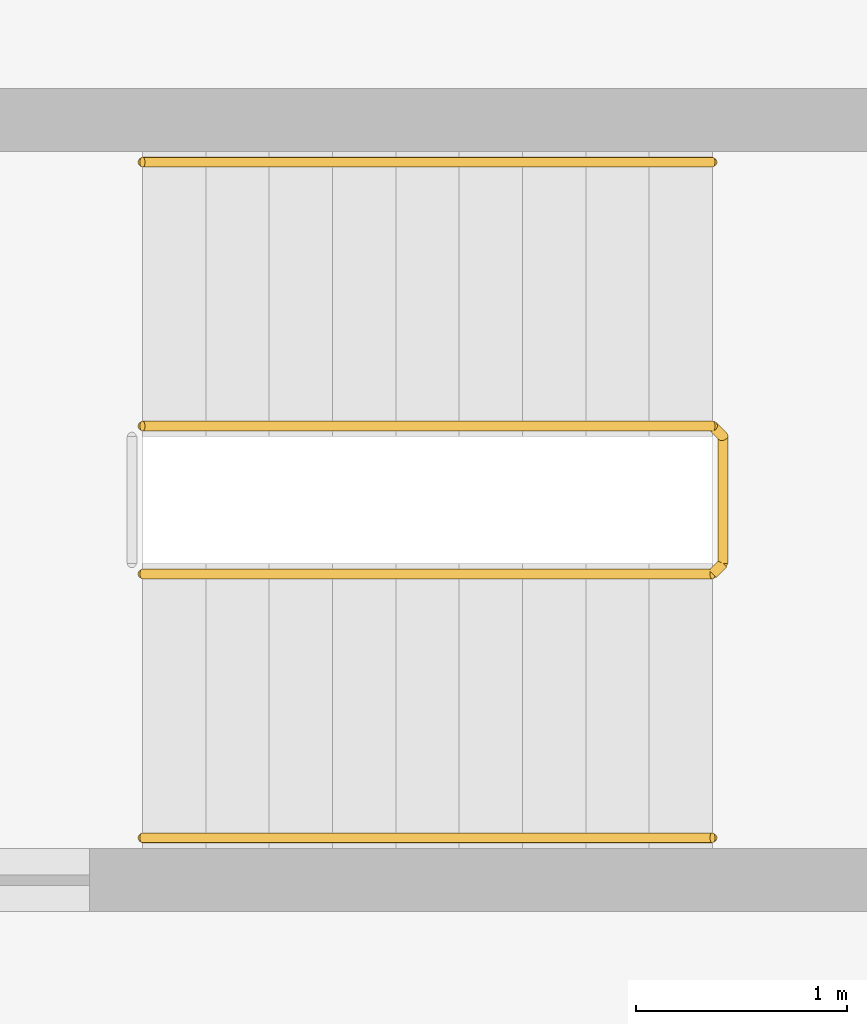
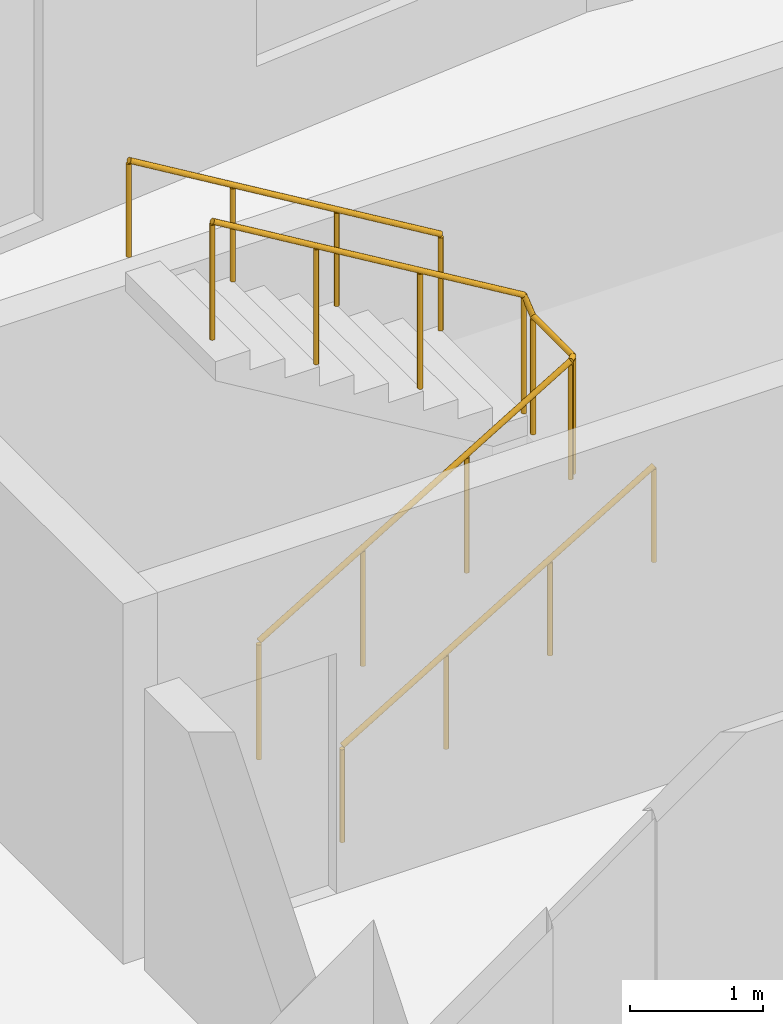
# One storey, part 12 of 12: 3 railings.
"""IFC4 building model written with IfcOpenShell, lengths in metres."""

from ifc_helpers import new_model, si_unit, direction, frame, origin, origin_2d, place, context, subcontext, project, spatial, circle, extrude, material, type_object, element, save


model = new_model("IFC4")

# Units and contexts
model_context = context("Model", 3, precision=1e-05, world=origin(), true_north=direction((0.0, 1.0)))
body_context = subcontext(model_context, "Body", "Model", "MODEL_VIEW")
ifc_project = project(units=[si_unit("LENGTHUNIT", "METRE"), si_unit("AREAUNIT", "SQUARE_METRE"), si_unit("VOLUMEUNIT", "CUBIC_METRE"), si_unit("PLANEANGLEUNIT", "RADIAN"), si_unit("MASSUNIT", "GRAM", prefix="KILO")], contexts=[model_context])

# Site, building, storey
site_placement = place(None, origin())
site = spatial("IfcSite", under=ifc_project, at=site_placement, CompositionType="ELEMENT")
building_placement = place(site_placement, origin())
building = spatial("IfcBuilding", under=site, at=building_placement, Name="Brondeck Convention Tower", CompositionType="ELEMENT")
storey_placement = place(building_placement, frame((0.0, 0.0, 51.89990234375)))
storey = spatial("IfcBuildingStorey", under=building, at=storey_placement, Name="L10", CompositionType="ELEMENT", Elevation=51.89990234375)

# Railings
ifc_material = material(Name="Steel S355", Category="steel")
railing_type_1 = type_object("IfcRailingType", Name="Stair guard 1100", PredefinedType="GUARDRAIL", material=ifc_material)
railing_1_placement = place(storey_placement, frame((37.85009765625, 55.449951171875, 0.18017578125)))
element("IfcRailing", 1, at=railing_1_placement, inside=storey, type_object=railing_type_1, Name="L10 ST-AE stair guard 1", PredefinedType="GUARDRAIL", context=body_context, shape_type="SweptSolid", body=[
    extrude(circle(Radius=0.02392578125, at=origin_2d()), frame((0.0, 0.0, 1.076171875), z_axis=(0.857506608807, 0.0, 0.514472949583), x_axis=(0.0, 1.0, 0.0)), (0.0, 0.0, 1.0), 3.148681640625),
    extrude(circle(Radius=0.02392578125, at=origin_2d()), frame((2.699951171875, 0.0, 2.69580078125), z_axis=(0.707106781187, 0.707106781187, 0.0), x_axis=(-0.707106781187, 0.707106781187, 0.0)), (0.0, 0.0, 1.0), 0.07080078125),
    extrude(circle(Radius=0.02392578125, at=origin_2d()), frame((2.75, 0.050048828125, 2.69580078125), z_axis=(0.0, 1.0, 0.0), x_axis=(-1.0, 0.0, 0.0)), (0.0, 0.0, 1.0), 0.60009765625),
    extrude(circle(Radius=0.02392578125, at=origin_2d()), frame((2.75, 0.650146484375, 2.69580078125), z_axis=(-0.258932105505, 0.257669022063, 0.930892496375), x_axis=(-0.705375805398, -0.708833529934, 0.0)), (0.0, 0.0, 1.0), 0.193359375),
    extrude(circle(Radius=0.02392578125, at=origin_2d()), frame((2.699951171875, 0.699951171875, 2.8759765625), z_axis=(-0.857472400752, 0.0, 0.514529962148), x_axis=(0.0, -1.0, 0.0)), (0.0, 0.0, 1.0), 3.148681640625),
    extrude(circle(Radius=0.02099609375, at=origin_2d()), origin(), (0.0, 0.0, 1.0), 1.052001953125),
    extrude(circle(Radius=0.02099609375, at=origin_2d()), frame((0.89990234375, 0.0, 0.5400390625)), (0.0, 0.0, 1.0), 1.052001953125),
    extrude(circle(Radius=0.02099609375, at=origin_2d()), frame((1.800048828125, 0.0, 1.079833984375)), (0.0, 0.0, 1.0), 1.052001953125),
    extrude(circle(Radius=0.02099609375, at=origin_2d()), frame((2.699951171875, 0.0, 1.619873046875)), (0.0, 0.0, 1.0), 1.052001953125),
    extrude(circle(Radius=0.02099609375, at=origin_2d()), frame((2.75, 0.050048828125, 1.619873046875)), (0.0, 0.0, 1.0), 1.052001953125),
    extrude(circle(Radius=0.02099609375, at=origin_2d()), frame((2.75, 0.650146484375, 1.619873046875)), (0.0, 0.0, 1.0), 1.052001953125),
    extrude(circle(Radius=0.02099609375, at=origin_2d()), frame((2.699951171875, 0.699951171875, 1.7998046875)), (0.0, 0.0, 1.0), 1.052001953125),
    extrude(circle(Radius=0.02099609375, at=origin_2d()), frame((1.800048828125, 0.699951171875, 2.33984375)), (0.0, 0.0, 1.0), 1.052001953125),
    extrude(circle(Radius=0.02099609375, at=origin_2d()), frame((0.89990234375, 0.699951171875, 2.8798828125)), (0.0, 0.0, 1.0), 1.052001953125),
    extrude(circle(Radius=0.02099609375, at=origin_2d()), frame((0.0, 0.699951171875, 3.419921875)), (0.0, 0.0, 1.0), 1.052001953125),
])
railing_type_2 = type_object("IfcRailingType", Name="Stair handrail", PredefinedType="HANDRAIL", material=ifc_material)
railing_2_placement = place(storey_placement, frame((37.85009765625, 54.199951171875, 0.18017578125)))
element("IfcRailing", 2, at=railing_2_placement, inside=storey, type_object=railing_type_2, Name="L10 ST-AE stair handrail 1", PredefinedType="HANDRAIL", context=body_context, shape_type="SweptSolid", body=[
    extrude(circle(Radius=0.02392578125, at=origin_2d()), frame((0.0, 0.0, 0.8759765625), z_axis=(0.857506608807, 0.0, 0.514472949583), x_axis=(0.0, 1.0, 0.0)), (0.0, 0.0, 1.0), 3.148681640625),
    extrude(circle(Radius=0.02099609375, at=origin_2d()), origin(), (0.0, 0.0, 1.0), 0.851806640625),
    extrude(circle(Radius=0.02099609375, at=origin_2d()), frame((0.89990234375, 0.0, 0.5400390625)), (0.0, 0.0, 1.0), 0.851806640625),
    extrude(circle(Radius=0.02099609375, at=origin_2d()), frame((1.800048828125, 0.0, 1.079833984375)), (0.0, 0.0, 1.0), 0.851806640625),
    extrude(circle(Radius=0.02099609375, at=origin_2d()), frame((2.699951171875, 0.0, 1.619873046875)), (0.0, 0.0, 1.0), 0.851806640625),
])
railing_3_placement = place(storey_placement, frame((40.550048828125, 57.39990234375, 1.97998046875)))
element("IfcRailing", 3, at=railing_3_placement, inside=storey, type_object=railing_type_2, Name="L10 ST-AE stair handrail 2", PredefinedType="HANDRAIL", context=body_context, shape_type="SweptSolid", body=[
    extrude(circle(Radius=0.02392578125, at=origin_2d()), frame((0.0, 0.0, 0.8759765625), z_axis=(-0.857472400752, 0.0, 0.514529962148), x_axis=(0.0, -1.0, 0.0)), (0.0, 0.0, 1.0), 3.148681640625),
    extrude(circle(Radius=0.02099609375, at=origin_2d()), origin(), (0.0, 0.0, 1.0), 0.851806640625),
    extrude(circle(Radius=0.02099609375, at=origin_2d()), frame((-0.89990234375, 0.0, 0.5400390625)), (0.0, 0.0, 1.0), 0.851806640625),
    extrude(circle(Radius=0.02099609375, at=origin_2d()), frame((-1.800048828125, 0.0, 1.080078125)), (0.0, 0.0, 1.0), 0.851806640625),
    extrude(circle(Radius=0.02099609375, at=origin_2d()), frame((-2.699951171875, 0.0, 1.6201171875)), (0.0, 0.0, 1.0), 0.851806640625),
])

save(model, "model.ifc")
